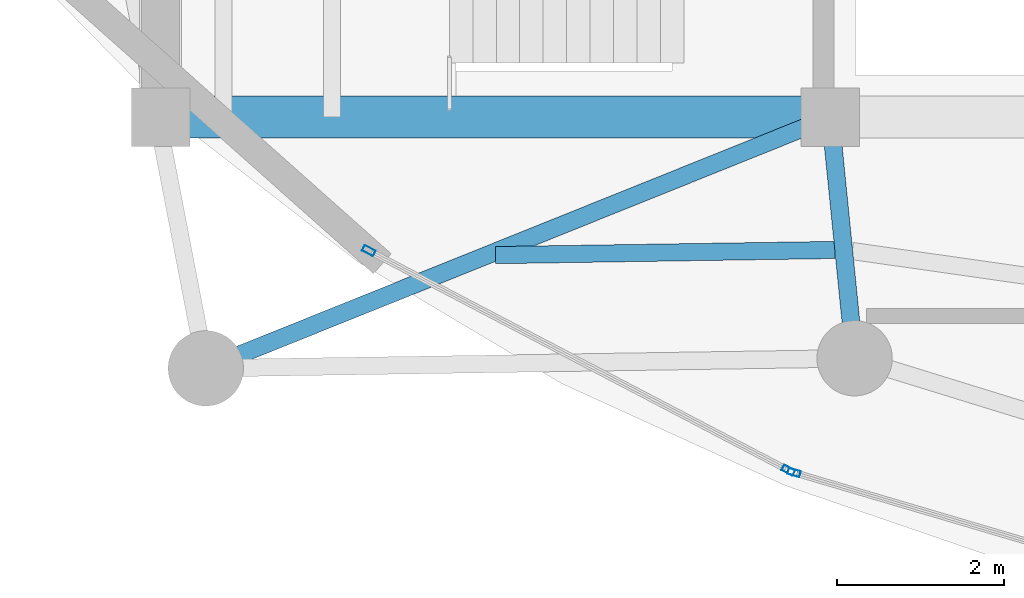
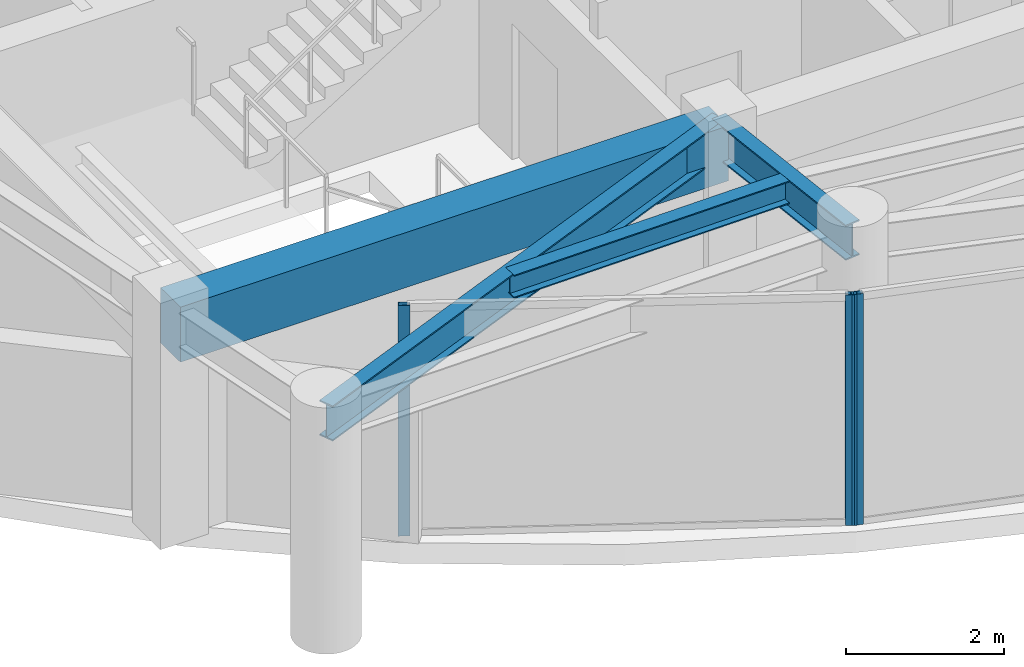
# One storey, part 2 of 29: 4 beams, 3 members, 2 elements without a shape of their own.
"""IFC4 building model written with IfcOpenShell, lengths in metres."""

from ifc_helpers import new_model, si_unit, direction, frame, origin, origin_2d, place, context, subcontext, project, spatial, rectangle, hollow_rectangle, i_section, extrude, material, layer, layer_set, material_profile, profile_set, type_object, element, aggregate, save


model = new_model("IFC4")

# Units and contexts
model_context = context("Model", 3, precision=1e-05, world=origin(), true_north=direction((0.0, 1.0)))
body_context = subcontext(model_context, "Body", "Model", "MODEL_VIEW")
ifc_project = project(units=[si_unit("LENGTHUNIT", "METRE"), si_unit("AREAUNIT", "SQUARE_METRE"), si_unit("VOLUMEUNIT", "CUBIC_METRE"), si_unit("PLANEANGLEUNIT", "RADIAN"), si_unit("MASSUNIT", "GRAM", prefix="KILO")], contexts=[model_context])

# Site, building, storey
site_placement = place(None, origin())
site = spatial("IfcSite", under=ifc_project, at=site_placement, CompositionType="ELEMENT")
building_placement = place(site_placement, origin())
building = spatial("IfcBuilding", under=site, at=building_placement, Name="Kazevale Care Tower and Concert Hall", CompositionType="ELEMENT")
storey_placement = place(building_placement, frame((0.0, 0.0, 281.39990234375)))
storey = spatial("IfcBuildingStorey", under=building, at=storey_placement, Name="L74", CompositionType="ELEMENT", Elevation=281.39990234375)

# Curtain wall, member
ifc_material_1 = material(Name="Aluminium 6063-T6 and Low-E Glass", Category="aluminium")
ifc_layer = layer(ifc_material_1, 0.179931640625)
ifc_layer_set = layer_set([ifc_layer], Name="Aluminium 6063-T6 and Low-E Glass")
curtain_wall_type = type_object("IfcCurtainWallType", Name="Sheltered Concave Balcony Curtain Wall CW-5", PredefinedType="NOTDEFINED", material=ifc_layer_set)
curtain_wall_1_placement = place(storey_placement, origin())
curtain_wall_1 = element("IfcCurtainWall", 1, at=curtain_wall_1_placement, inside=storey, type_object=curtain_wall_type, Name="cw:L74:f08", PredefinedType="NOTDEFINED")
ifc_material_2 = material(Name="Aluminium 6063-T6", Category="aluminium")
ifc_material_profile_1 = material_profile(ifc_material_2, hollow_rectangle(XDim=0.074951171875, YDim=0.14990234375, WallThickness=0.00390625, at=origin_2d()), Name="ALU75x150x4")
ifc_profile_set_1 = profile_set([ifc_material_profile_1], Name="Aluminium 6063-T6")
member_type = type_object("IfcMemberType", Name="CW-5 Mullion ALU75x150x4", PredefinedType="MULLION", material=ifc_profile_set_1)
member_1_placement = place(storey_placement, frame((29.56689453125, 19.3544921875, 0.0), z_axis=(0.0, 0.0, 1.0), x_axis=(-0.283202506274, -0.959060133902, 0.0)))
member_1 = element("IfcMember", 2, at=member_1_placement, type_object=member_type, Name="CW-5 mullion 2", PredefinedType="MULLION", context=body_context, shape_type="SweptSolid", body=[
    extrude(hollow_rectangle(XDim=0.074951171875, YDim=0.14990234375, WallThickness=0.00390625, at=origin_2d()), origin(), (0.0, 0.0, 1.0), 3.56005859375),
])
aggregate(curtain_wall_1, [member_1])

# Curtain wall, members
curtain_wall_2_placement = place(storey_placement, origin())
curtain_wall_2 = element("IfcCurtainWall", 3, at=curtain_wall_2_placement, inside=storey, type_object=curtain_wall_type, Name="cw:L74:f09", PredefinedType="NOTDEFINED")
member_2_placement = place(storey_placement, frame((29.497802734375, 19.38232421875, 0.0), z_axis=(0.0, 0.0, 1.0), x_axis=(-0.463680915912, -0.886002261972, 0.0)))
member_2 = element("IfcMember", 4, at=member_2_placement, type_object=member_type, Name="CW-5 mullion 1", PredefinedType="MULLION", context=body_context, shape_type="SweptSolid", body=[
    extrude(hollow_rectangle(XDim=0.074951171875, YDim=0.14990234375, WallThickness=0.00390625, at=origin_2d()), origin(), (0.0, 0.0, 1.0), 3.56005859375),
])
member_3_placement = place(storey_placement, frame((24.4873046875, 22.004638671875, 0.0), z_axis=(0.0, 0.0, 1.0), x_axis=(-0.463680915912, -0.886002261972, 0.0)))
member_3 = element("IfcMember", 5, at=member_3_placement, type_object=member_type, Name="CW-5 mullion 2", PredefinedType="MULLION", context=body_context, shape_type="SweptSolid", body=[
    extrude(hollow_rectangle(XDim=0.074951171875, YDim=0.14990234375, WallThickness=0.00390625, at=origin_2d()), origin(), (0.0, 0.0, 1.0), 3.56005859375),
])
aggregate(curtain_wall_2, [member_2, member_3])

# Beams
ifc_material_3 = material(Name="Concrete C60", Category="concrete")
ifc_material_profile_2 = material_profile(ifc_material_3, rectangle(XDim=0.5, YDim=0.85009765625, at=origin_2d()), Name="RC-B500x850")
ifc_profile_set_2 = profile_set([ifc_material_profile_2], Name="Concrete C60")
beam_type_1 = type_object("IfcBeamType", Name="Core Coupling Beam RC500x850", PredefinedType="LINTEL", material=ifc_profile_set_2)
beam_1_placement = place(storey_placement, frame((22.0, 23.60009765625, 3.135009765625), z_axis=(1.0, 0.0, 0.0), x_axis=(0.0, 1.0, 0.0)))
element("IfcBeam", 6, at=beam_1_placement, inside=storey, type_object=beam_type_1, Name="beam:L74:coretie:1", PredefinedType="LINTEL", context=body_context, shape_type="SweptSolid", body=[
    extrude(rectangle(XDim=0.5, YDim=0.85009765625, at=origin_2d()), origin(), (0.0, 0.0, 1.0), 8.0),
])
ifc_material_4 = material(Name="Steel ASTM A572 Gr 50", Category="steel")
ifc_material_profile_3 = material_profile(ifc_material_4, i_section(OverallWidth=0.2119140625, OverallDepth=0.5439453125, WebThickness=0.01318359375, FlangeThickness=0.021240234375, at=origin_2d()), Name="W530x123")
ifc_profile_set_3 = profile_set([ifc_material_profile_3], Name="Steel ASTM A572 Gr 50")
beam_type_2 = type_object("IfcBeamType", Name="Radial Floor Girder W530x123", PredefinedType="BEAM", material=ifc_profile_set_3)
beam_2_placement = place(storey_placement, frame((30.0, 23.60009765625, 3.2880859375), z_axis=(-0.927788258921, -0.373107151644, 0.0), x_axis=(0.373107151644, -0.927788258921, 0.0)))
element("IfcBeam", 7, at=beam_2_placement, inside=storey, type_object=beam_type_2, Name="beam:L74:rad:10", PredefinedType="BEAM", context=body_context, shape_type="SweptSolid", body=[
    extrude(i_section(OverallWidth=0.2119140625, OverallDepth=0.5439453125, WebThickness=0.01318359375, FlangeThickness=0.021240234375, at=origin_2d()), origin(), (0.0, 0.0, 1.0), 8.04052734375),
])
beam_3_placement = place(storey_placement, frame((30.0, 23.60009765625, 3.2880859375), z_axis=(0.100196792003, -0.994967639108, 0.0), x_axis=(0.994967639108, 0.100196792003, 0.0)))
element("IfcBeam", 8, at=beam_3_placement, inside=storey, type_object=beam_type_2, Name="beam:L74:rad:11", PredefinedType="BEAM", context=body_context, shape_type="SweptSolid", body=[
    extrude(i_section(OverallWidth=0.2119140625, OverallDepth=0.5439453125, WebThickness=0.01318359375, FlangeThickness=0.021240234375, at=origin_2d()), origin(), (0.0, 0.0, 1.0), 2.894775390625),
])
ifc_material_profile_4 = material_profile(ifc_material_4, i_section(OverallWidth=0.205078125, OverallDepth=0.35400390625, WebThickness=0.009521484375, FlangeThickness=0.016845703125, at=origin_2d()), Name="W360x79")
ifc_profile_set_4 = profile_set([ifc_material_profile_4], Name="Steel ASTM A572 Gr 50")
beam_type_3 = type_object("IfcBeamType", Name="Secondary Floor Joist W360x79", PredefinedType="JOIST", material=ifc_profile_set_4)
beam_4_placement = place(storey_placement, frame((26.001953125, 21.951904296875, 3.383056640625), z_axis=(0.999882971215, 0.015298492542, 0.0), x_axis=(-0.015298492542, 0.999882971215, 0.0)))
element("IfcBeam", 9, at=beam_4_placement, inside=storey, type_object=beam_type_3, Name="beam:L74:joist:10", PredefinedType="JOIST", context=body_context, shape_type="SweptSolid", body=[
    extrude(i_section(OverallWidth=0.205078125, OverallDepth=0.35400390625, WebThickness=0.009521484375, FlangeThickness=0.016845703125, at=origin_2d()), origin(), (0.0, 0.0, 1.0), 4.053466796875),
])

save(model, "model.ifc")
